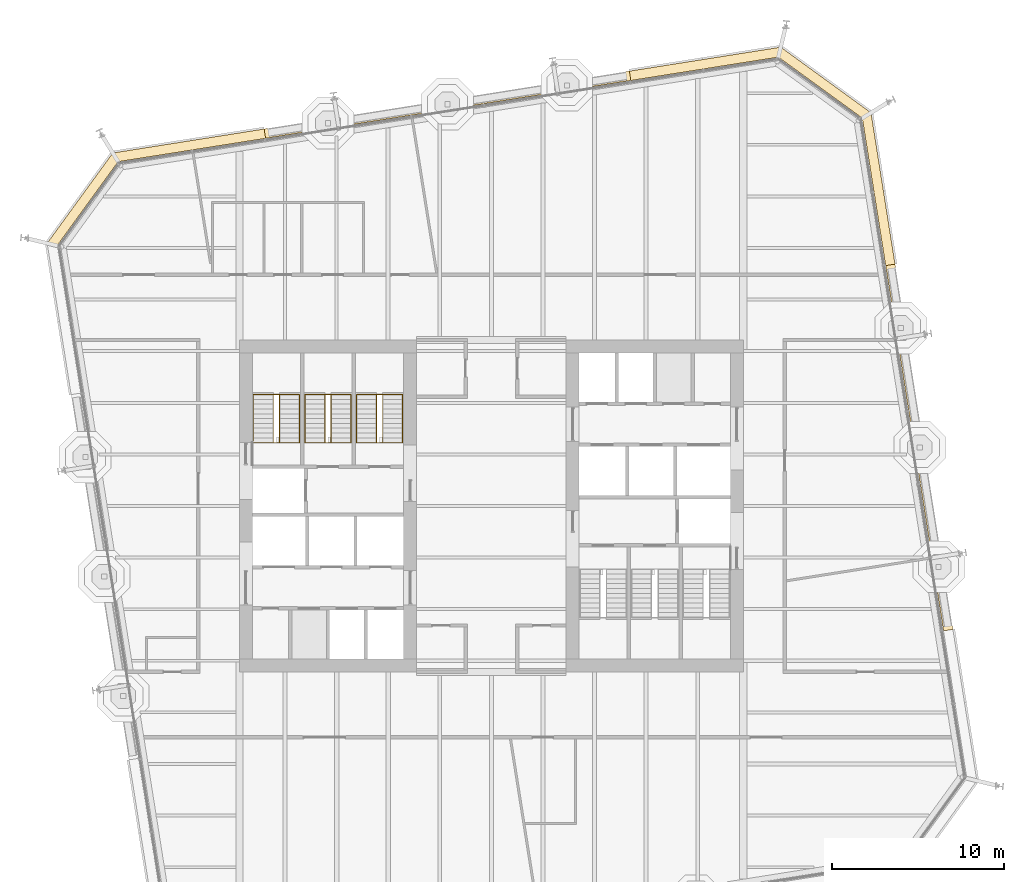
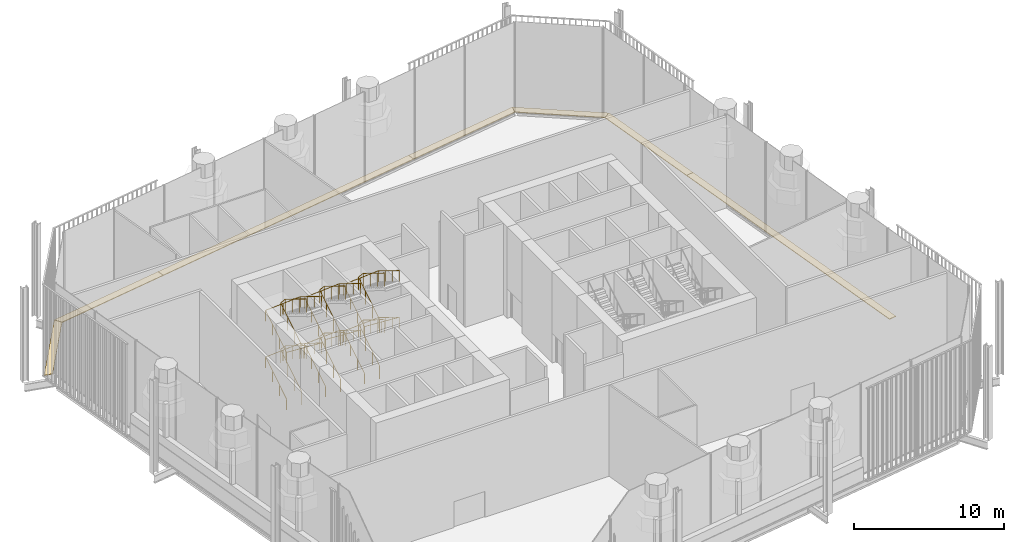
# One storey, part 17 of 19: 7 coverings, 6 railings.
"""IFC4 building model written with IfcOpenShell, lengths in metres."""

from ifc_helpers import new_model, si_unit, direction, frame, origin, origin_2d, place, context, subcontext, project, spatial, polyline, circle, outline, extrude, material, layer, layer_set, type_object, element, save


model = new_model("IFC4")

# Units and contexts
model_context = context("Model", 3, precision=1e-05, world=origin(), true_north=direction((0.0, 1.0)))
body_context = subcontext(model_context, "Body", "Model", "MODEL_VIEW")
ifc_project = project(units=[si_unit("LENGTHUNIT", "METRE"), si_unit("AREAUNIT", "SQUARE_METRE"), si_unit("VOLUMEUNIT", "CUBIC_METRE"), si_unit("PLANEANGLEUNIT", "RADIAN"), si_unit("MASSUNIT", "GRAM", prefix="KILO")], contexts=[model_context])

# Site, building, storey
site_placement = place(None, origin())
site = spatial("IfcSite", under=ifc_project, at=site_placement, CompositionType="ELEMENT")
building_placement = place(site_placement, origin())
building = spatial("IfcBuilding", under=site, at=building_placement, Name="Millrace Tower", CompositionType="ELEMENT")
storey_placement = place(building_placement, frame((0.0, 0.0, 172.39990234375)))
storey = spatial("IfcBuildingStorey", under=building, at=storey_placement, Name="L39", CompositionType="ELEMENT", Elevation=172.39990234375)

# Coverings
ifc_material_1 = material(Name="Steel ASTM A36", Category="steel")
ifc_layer = layer(ifc_material_1, 0.050048828125)
ifc_layer_set = layer_set([ifc_layer], Name="Steel ASTM A36")
covering_type = type_object("IfcCoveringType", Name="CAVITY CATWALK steel grating", PredefinedType="FLOORING", material=ifc_layer_set)
placement = place(storey_placement, frame((0.0, 0.0, 0.10009765625)))
element("IfcCovering", 1, at=placement, inside=storey, type_object=covering_type, Name="Cavity catwalk grating C-F04 L39 2", PredefinedType="FLOORING", context=body_context, shape_type="SweptSolid", body=[
    extrude(outline(polyline([(26.8330078125, -7.174072265625), (23.4697265625, 14.061279296875), (22.926513671875, 13.97509765625), (26.289794921875, -7.26025390625), (26.8330078125, -7.174072265625)])), origin(), (0.0, 0.0, 1.0), 0.050048828125),
])
element("IfcCovering", 2, at=placement, inside=storey, type_object=covering_type, Name="Cavity catwalk grating C-F04 L39 3", PredefinedType="FLOORING", context=body_context, shape_type="SweptSolid", body=[
    extrude(outline(polyline([(23.4697265625, 14.061279296875), (22.075927734375, 22.862060546875), (21.568359375, 22.551025390625), (22.926513671875, 13.97509765625), (23.4697265625, 14.061279296875)])), origin(), (0.0, 0.0, 1.0), 0.050048828125),
])
element("IfcCovering", 3, at=placement, inside=storey, type_object=covering_type, Name="Cavity catwalk grating C-F05 L39 1", PredefinedType="FLOORING", context=body_context, shape_type="SweptSolid", body=[
    extrude(outline(polyline([(22.075927734375, 22.862060546875), (16.824951171875, 26.677001953125), (16.68603515625, 26.09814453125), (21.568359375, 22.551025390625), (22.075927734375, 22.862060546875)])), origin(), (0.0, 0.0, 1.0), 0.050048828125),
])
element("IfcCovering", 4, at=placement, inside=storey, type_object=covering_type, Name="Cavity catwalk grating C-F06 L39 1", PredefinedType="FLOORING", context=body_context, shape_type="SweptSolid", body=[
    extrude(outline(polyline([(16.824951171875, 26.677001953125), (8.024169921875, 25.283203125), (8.110107421875, 24.739990234375), (16.68603515625, 26.09814453125), (16.824951171875, 26.677001953125)])), origin(), (0.0, 0.0, 1.0), 0.050048828125),
])
element("IfcCovering", 5, at=placement, inside=storey, type_object=covering_type, Name="Cavity catwalk grating C-F06 L39 2", PredefinedType="FLOORING", context=body_context, shape_type="SweptSolid", body=[
    extrude(outline(polyline([(8.024169921875, 25.283203125), (-13.211181640625, 21.919677734375), (-13.125244140625, 21.37646484375), (8.110107421875, 24.739990234375), (8.024169921875, 25.283203125)])), origin(), (0.0, 0.0, 1.0), 0.050048828125),
])
element("IfcCovering", 6, at=placement, inside=storey, type_object=covering_type, Name="Cavity catwalk grating C-F06 L39 3", PredefinedType="FLOORING", context=body_context, shape_type="SweptSolid", body=[
    extrude(outline(polyline([(-13.211181640625, 21.919677734375), (-22.01220703125, 20.52587890625), (-21.701171875, 20.018310546875), (-13.125244140625, 21.37646484375), (-13.211181640625, 21.919677734375)])), origin(), (0.0, 0.0, 1.0), 0.050048828125),
])
element("IfcCovering", 7, at=placement, inside=storey, type_object=covering_type, Name="Cavity catwalk grating C-F07 L39 1", PredefinedType="FLOORING", context=body_context, shape_type="SweptSolid", body=[
    extrude(outline(polyline([(-22.01220703125, 20.52587890625), (-25.8271484375, 15.275146484375), (-25.248291015625, 15.135986328125), (-21.701171875, 20.018310546875), (-22.01220703125, 20.52587890625)])), origin(), (0.0, 0.0, 1.0), 0.050048828125),
])

# Railings
ifc_material_2 = material(Name="Stainless steel ASTM A240 type 316", Category="steel")
railing_type_1 = type_object("IfcRailingType", Name="Stair guard 1100", PredefinedType="GUARDRAIL", material=ifc_material_2)
railing_1_placement = place(storey_placement, frame((-12.679931640625, 3.679931640625, 0.1728515625)))
element("IfcRailing", 8, at=railing_1_placement, inside=storey, type_object=railing_type_1, Name="Stair guard 1 W L39", PredefinedType="GUARDRAIL", context=body_context, shape_type="SweptSolid", body=[
    extrude(circle(Radius=0.02392578125, at=origin_2d()), frame((0.0, 0.0, 1.076171875), z_axis=(0.0, 0.851089632645, 0.525020415988), x_axis=(-1.0, 0.0, 0.0)), (0.0, 0.0, 1.0), 3.2900390625),
    extrude(circle(Radius=0.02392578125, at=origin_2d()), frame((0.0, 2.800048828125, 2.80322265625), z_axis=(0.901647110569, 0.0, 0.432472528611), x_axis=(0.0, 1.0, 0.0)), (0.0, 0.0, 1.0), 0.399169921875),
    extrude(circle(Radius=0.02392578125, at=origin_2d()), frame((0.35986328125, 2.800048828125, 2.97607421875), z_axis=(0.0, -0.851089632645, 0.525020415988), x_axis=(1.0, 0.0, 0.0)), (0.0, 0.0, 1.0), 3.2900390625),
    extrude(circle(Radius=0.02392578125, at=origin_2d()), frame((0.35986328125, 0.0, 4.703125), z_axis=(-0.901408511443, 0.0, 0.432969624221), x_axis=(0.0, -1.0, 0.0)), (0.0, 0.0, 1.0), 0.399169921875),
    extrude(circle(Radius=0.02392578125, at=origin_2d()), frame((0.0, 0.0, 4.8759765625), z_axis=(0.0, 0.851089632645, 0.525020415988), x_axis=(-1.0, 0.0, 0.0)), (0.0, 0.0, 1.0), 3.2900390625),
    extrude(circle(Radius=0.02392578125, at=origin_2d()), frame((0.0, 2.800048828125, 6.603515625), z_axis=(0.901647110569, 0.0, 0.432472528611), x_axis=(0.0, 1.0, 0.0)), (0.0, 0.0, 1.0), 0.399169921875),
    extrude(circle(Radius=0.02392578125, at=origin_2d()), frame((0.35986328125, 2.800048828125, 6.77587890625), z_axis=(0.0, -0.851089632645, 0.525020415988), x_axis=(1.0, 0.0, 0.0)), (0.0, 0.0, 1.0), 3.2900390625),
    extrude(circle(Radius=0.02099609375, at=origin_2d()), origin(), (0.0, 0.0, 1.0), 1.052001953125),
    extrude(circle(Radius=0.02099609375, at=origin_2d()), frame((0.0, 0.933349609375, 0.57568359375)), (0.0, 0.0, 1.0), 1.052001953125),
    extrude(circle(Radius=0.02099609375, at=origin_2d()), frame((0.0, 1.86669921875, 1.151611328125)), (0.0, 0.0, 1.0), 1.052001953125),
    extrude(circle(Radius=0.02099609375, at=origin_2d()), frame((0.0, 2.800048828125, 1.727294921875)), (0.0, 0.0, 1.0), 1.052001953125),
    extrude(circle(Radius=0.02099609375, at=origin_2d()), frame((0.35986328125, 2.800048828125, 1.89990234375)), (0.0, 0.0, 1.0), 1.052001953125),
    extrude(circle(Radius=0.02099609375, at=origin_2d()), frame((0.35986328125, 1.86669921875, 2.4755859375)), (0.0, 0.0, 1.0), 1.052001953125),
    extrude(circle(Radius=0.02099609375, at=origin_2d()), frame((0.35986328125, 0.933349609375, 3.051513671875)), (0.0, 0.0, 1.0), 1.052001953125),
    extrude(circle(Radius=0.02099609375, at=origin_2d()), frame((0.35986328125, 0.0, 3.627197265625)), (0.0, 0.0, 1.0), 1.052001953125),
    extrude(circle(Radius=0.02099609375, at=origin_2d()), frame((0.0, 0.0, 3.800048828125)), (0.0, 0.0, 1.0), 1.052001953125),
    extrude(circle(Radius=0.02099609375, at=origin_2d()), frame((0.0, 0.933349609375, 4.375732421875)), (0.0, 0.0, 1.0), 1.052001953125),
    extrude(circle(Radius=0.02099609375, at=origin_2d()), frame((0.0, 1.86669921875, 4.95166015625)), (0.0, 0.0, 1.0), 1.052001953125),
    extrude(circle(Radius=0.02099609375, at=origin_2d()), frame((0.0, 2.800048828125, 5.52734375)), (0.0, 0.0, 1.0), 1.052001953125),
    extrude(circle(Radius=0.02099609375, at=origin_2d()), frame((0.35986328125, 2.800048828125, 5.699951171875)), (0.0, 0.0, 1.0), 1.052001953125),
    extrude(circle(Radius=0.02099609375, at=origin_2d()), frame((0.35986328125, 1.86669921875, 6.275634765625)), (0.0, 0.0, 1.0), 1.052001953125),
    extrude(circle(Radius=0.02099609375, at=origin_2d()), frame((0.35986328125, 0.933349609375, 6.8515625)), (0.0, 0.0, 1.0), 1.052001953125),
    extrude(circle(Radius=0.02099609375, at=origin_2d()), frame((0.35986328125, 0.0, 7.42724609375)), (0.0, 0.0, 1.0), 1.052001953125),
])
railing_2_placement = place(storey_placement, frame((-9.679931640625, 3.679931640625, 0.1728515625)))
element("IfcRailing", 9, at=railing_2_placement, inside=storey, type_object=railing_type_1, Name="Stair guard 2 W L39", PredefinedType="GUARDRAIL", context=body_context, shape_type="SweptSolid", body=[
    extrude(circle(Radius=0.02392578125, at=origin_2d()), frame((0.0, 0.0, 1.076171875), z_axis=(0.0, 0.851089632645, 0.525020415988), x_axis=(-1.0, 0.0, 0.0)), (0.0, 0.0, 1.0), 3.2900390625),
    extrude(circle(Radius=0.02392578125, at=origin_2d()), frame((0.0, 2.800048828125, 2.80322265625), z_axis=(0.901647110569, 0.0, 0.432472528611), x_axis=(0.0, 1.0, 0.0)), (0.0, 0.0, 1.0), 0.399169921875),
    extrude(circle(Radius=0.02392578125, at=origin_2d()), frame((0.35986328125, 2.800048828125, 2.97607421875), z_axis=(0.0, -0.851089632645, 0.525020415988), x_axis=(1.0, 0.0, 0.0)), (0.0, 0.0, 1.0), 3.2900390625),
    extrude(circle(Radius=0.02392578125, at=origin_2d()), frame((0.35986328125, 0.0, 4.703125), z_axis=(-0.901408511443, 0.0, 0.432969624221), x_axis=(0.0, -1.0, 0.0)), (0.0, 0.0, 1.0), 0.399169921875),
    extrude(circle(Radius=0.02392578125, at=origin_2d()), frame((0.0, 0.0, 4.8759765625), z_axis=(0.0, 0.851089632645, 0.525020415988), x_axis=(-1.0, 0.0, 0.0)), (0.0, 0.0, 1.0), 3.2900390625),
    extrude(circle(Radius=0.02392578125, at=origin_2d()), frame((0.0, 2.800048828125, 6.603515625), z_axis=(0.901647110569, 0.0, 0.432472528611), x_axis=(0.0, 1.0, 0.0)), (0.0, 0.0, 1.0), 0.399169921875),
    extrude(circle(Radius=0.02392578125, at=origin_2d()), frame((0.35986328125, 2.800048828125, 6.77587890625), z_axis=(0.0, -0.851089632645, 0.525020415988), x_axis=(1.0, 0.0, 0.0)), (0.0, 0.0, 1.0), 3.2900390625),
    extrude(circle(Radius=0.02099609375, at=origin_2d()), origin(), (0.0, 0.0, 1.0), 1.052001953125),
    extrude(circle(Radius=0.02099609375, at=origin_2d()), frame((0.0, 0.933349609375, 0.57568359375)), (0.0, 0.0, 1.0), 1.052001953125),
    extrude(circle(Radius=0.02099609375, at=origin_2d()), frame((0.0, 1.86669921875, 1.151611328125)), (0.0, 0.0, 1.0), 1.052001953125),
    extrude(circle(Radius=0.02099609375, at=origin_2d()), frame((0.0, 2.800048828125, 1.727294921875)), (0.0, 0.0, 1.0), 1.052001953125),
    extrude(circle(Radius=0.02099609375, at=origin_2d()), frame((0.35986328125, 2.800048828125, 1.89990234375)), (0.0, 0.0, 1.0), 1.052001953125),
    extrude(circle(Radius=0.02099609375, at=origin_2d()), frame((0.35986328125, 1.86669921875, 2.4755859375)), (0.0, 0.0, 1.0), 1.052001953125),
    extrude(circle(Radius=0.02099609375, at=origin_2d()), frame((0.35986328125, 0.933349609375, 3.051513671875)), (0.0, 0.0, 1.0), 1.052001953125),
    extrude(circle(Radius=0.02099609375, at=origin_2d()), frame((0.35986328125, 0.0, 3.627197265625)), (0.0, 0.0, 1.0), 1.052001953125),
    extrude(circle(Radius=0.02099609375, at=origin_2d()), frame((0.0, 0.0, 3.800048828125)), (0.0, 0.0, 1.0), 1.052001953125),
    extrude(circle(Radius=0.02099609375, at=origin_2d()), frame((0.0, 0.933349609375, 4.375732421875)), (0.0, 0.0, 1.0), 1.052001953125),
    extrude(circle(Radius=0.02099609375, at=origin_2d()), frame((0.0, 1.86669921875, 4.95166015625)), (0.0, 0.0, 1.0), 1.052001953125),
    extrude(circle(Radius=0.02099609375, at=origin_2d()), frame((0.0, 2.800048828125, 5.52734375)), (0.0, 0.0, 1.0), 1.052001953125),
    extrude(circle(Radius=0.02099609375, at=origin_2d()), frame((0.35986328125, 2.800048828125, 5.699951171875)), (0.0, 0.0, 1.0), 1.052001953125),
    extrude(circle(Radius=0.02099609375, at=origin_2d()), frame((0.35986328125, 1.86669921875, 6.275634765625)), (0.0, 0.0, 1.0), 1.052001953125),
    extrude(circle(Radius=0.02099609375, at=origin_2d()), frame((0.35986328125, 0.933349609375, 6.8515625)), (0.0, 0.0, 1.0), 1.052001953125),
    extrude(circle(Radius=0.02099609375, at=origin_2d()), frame((0.35986328125, 0.0, 7.42724609375)), (0.0, 0.0, 1.0), 1.052001953125),
])
railing_3_placement = place(storey_placement, frame((-6.679931640625, 3.679931640625, 0.1728515625)))
element("IfcRailing", 10, at=railing_3_placement, inside=storey, type_object=railing_type_1, Name="Stair guard 3 W L39", PredefinedType="GUARDRAIL", context=body_context, shape_type="SweptSolid", body=[
    extrude(circle(Radius=0.02392578125, at=origin_2d()), frame((0.0, 0.0, 1.076171875), z_axis=(0.0, 0.851089632645, 0.525020415988), x_axis=(-1.0, 0.0, 0.0)), (0.0, 0.0, 1.0), 3.2900390625),
    extrude(circle(Radius=0.02392578125, at=origin_2d()), frame((0.0, 2.800048828125, 2.80322265625), z_axis=(0.901647110569, 0.0, 0.432472528611), x_axis=(0.0, 1.0, 0.0)), (0.0, 0.0, 1.0), 0.399169921875),
    extrude(circle(Radius=0.02392578125, at=origin_2d()), frame((0.35986328125, 2.800048828125, 2.97607421875), z_axis=(0.0, -0.851089632645, 0.525020415988), x_axis=(1.0, 0.0, 0.0)), (0.0, 0.0, 1.0), 3.2900390625),
    extrude(circle(Radius=0.02392578125, at=origin_2d()), frame((0.35986328125, 0.0, 4.703125), z_axis=(-0.901408511443, 0.0, 0.432969624221), x_axis=(0.0, -1.0, 0.0)), (0.0, 0.0, 1.0), 0.399169921875),
    extrude(circle(Radius=0.02392578125, at=origin_2d()), frame((0.0, 0.0, 4.8759765625), z_axis=(0.0, 0.851089632645, 0.525020415988), x_axis=(-1.0, 0.0, 0.0)), (0.0, 0.0, 1.0), 3.2900390625),
    extrude(circle(Radius=0.02392578125, at=origin_2d()), frame((0.0, 2.800048828125, 6.603515625), z_axis=(0.901647110569, 0.0, 0.432472528611), x_axis=(0.0, 1.0, 0.0)), (0.0, 0.0, 1.0), 0.399169921875),
    extrude(circle(Radius=0.02392578125, at=origin_2d()), frame((0.35986328125, 2.800048828125, 6.77587890625), z_axis=(0.0, -0.851089632645, 0.525020415988), x_axis=(1.0, 0.0, 0.0)), (0.0, 0.0, 1.0), 3.2900390625),
    extrude(circle(Radius=0.02099609375, at=origin_2d()), origin(), (0.0, 0.0, 1.0), 1.052001953125),
    extrude(circle(Radius=0.02099609375, at=origin_2d()), frame((0.0, 0.933349609375, 0.57568359375)), (0.0, 0.0, 1.0), 1.052001953125),
    extrude(circle(Radius=0.02099609375, at=origin_2d()), frame((0.0, 1.86669921875, 1.151611328125)), (0.0, 0.0, 1.0), 1.052001953125),
    extrude(circle(Radius=0.02099609375, at=origin_2d()), frame((0.0, 2.800048828125, 1.727294921875)), (0.0, 0.0, 1.0), 1.052001953125),
    extrude(circle(Radius=0.02099609375, at=origin_2d()), frame((0.35986328125, 2.800048828125, 1.89990234375)), (0.0, 0.0, 1.0), 1.052001953125),
    extrude(circle(Radius=0.02099609375, at=origin_2d()), frame((0.35986328125, 1.86669921875, 2.4755859375)), (0.0, 0.0, 1.0), 1.052001953125),
    extrude(circle(Radius=0.02099609375, at=origin_2d()), frame((0.35986328125, 0.933349609375, 3.051513671875)), (0.0, 0.0, 1.0), 1.052001953125),
    extrude(circle(Radius=0.02099609375, at=origin_2d()), frame((0.35986328125, 0.0, 3.627197265625)), (0.0, 0.0, 1.0), 1.052001953125),
    extrude(circle(Radius=0.02099609375, at=origin_2d()), frame((0.0, 0.0, 3.800048828125)), (0.0, 0.0, 1.0), 1.052001953125),
    extrude(circle(Radius=0.02099609375, at=origin_2d()), frame((0.0, 0.933349609375, 4.375732421875)), (0.0, 0.0, 1.0), 1.052001953125),
    extrude(circle(Radius=0.02099609375, at=origin_2d()), frame((0.0, 1.86669921875, 4.95166015625)), (0.0, 0.0, 1.0), 1.052001953125),
    extrude(circle(Radius=0.02099609375, at=origin_2d()), frame((0.0, 2.800048828125, 5.52734375)), (0.0, 0.0, 1.0), 1.052001953125),
    extrude(circle(Radius=0.02099609375, at=origin_2d()), frame((0.35986328125, 2.800048828125, 5.699951171875)), (0.0, 0.0, 1.0), 1.052001953125),
    extrude(circle(Radius=0.02099609375, at=origin_2d()), frame((0.35986328125, 1.86669921875, 6.275634765625)), (0.0, 0.0, 1.0), 1.052001953125),
    extrude(circle(Radius=0.02099609375, at=origin_2d()), frame((0.35986328125, 0.933349609375, 6.8515625)), (0.0, 0.0, 1.0), 1.052001953125),
    extrude(circle(Radius=0.02099609375, at=origin_2d()), frame((0.35986328125, 0.0, 7.42724609375)), (0.0, 0.0, 1.0), 1.052001953125),
])
ifc_material_3 = material(Name="Stainless steel ASTM A240 type 316", Category="steel")
railing_type_2 = type_object("IfcRailingType", Name="Stair handrail 900", PredefinedType="HANDRAIL", material=ifc_material_3)
railing_4_placement = place(storey_placement, frame((-13.840087890625, 3.679931640625, 0.1728515625)))
element("IfcRailing", 11, at=railing_4_placement, inside=storey, type_object=railing_type_2, Name="Stair handrail 1 W L39", PredefinedType="HANDRAIL", context=body_context, shape_type="SweptSolid", body=[
    extrude(circle(Radius=0.02392578125, at=origin_2d()), frame((0.0, 0.0, 0.8759765625), z_axis=(0.0, 0.851089632645, 0.525020415988), x_axis=(-1.0, 0.0, 0.0)), (0.0, 0.0, 1.0), 3.2900390625),
    extrude(circle(Radius=0.02392578125, at=origin_2d()), frame((0.0, 2.800048828125, 2.60302734375), z_axis=(0.997932650066, 0.0, 0.064268389834), x_axis=(0.0, 1.0, 0.0)), (0.0, 0.0, 1.0), 2.685791015625),
    extrude(circle(Radius=0.02392578125, at=origin_2d()), frame((2.68017578125, 2.800048828125, 2.77587890625), z_axis=(0.0, -0.851089632645, 0.525020415988), x_axis=(1.0, 0.0, 0.0)), (0.0, 0.0, 1.0), 3.2900390625),
    extrude(circle(Radius=0.02392578125, at=origin_2d()), frame((2.68017578125, 0.0, 4.5029296875), z_axis=(-0.997926815885, 0.0, 0.064358916528), x_axis=(0.0, -1.0, 0.0)), (0.0, 0.0, 1.0), 2.685791015625),
    extrude(circle(Radius=0.02392578125, at=origin_2d()), frame((0.0, 0.0, 4.67578125), z_axis=(0.0, 0.851089632645, 0.525020415988), x_axis=(-1.0, 0.0, 0.0)), (0.0, 0.0, 1.0), 3.2900390625),
    extrude(circle(Radius=0.02392578125, at=origin_2d()), frame((0.0, 2.800048828125, 6.4033203125), z_axis=(0.997932650066, 0.0, 0.064268389834), x_axis=(0.0, 1.0, 0.0)), (0.0, 0.0, 1.0), 2.685791015625),
    extrude(circle(Radius=0.02392578125, at=origin_2d()), frame((2.68017578125, 2.800048828125, 6.57568359375), z_axis=(0.0, -0.851089632645, 0.525020415988), x_axis=(1.0, 0.0, 0.0)), (0.0, 0.0, 1.0), 3.2900390625),
    extrude(circle(Radius=0.02099609375, at=origin_2d()), origin(), (0.0, 0.0, 1.0), 0.851806640625),
    extrude(circle(Radius=0.02099609375, at=origin_2d()), frame((0.0, 0.933349609375, 0.57568359375)), (0.0, 0.0, 1.0), 0.851806640625),
    extrude(circle(Radius=0.02099609375, at=origin_2d()), frame((0.0, 1.86669921875, 1.151611328125)), (0.0, 0.0, 1.0), 0.851806640625),
    extrude(circle(Radius=0.02099609375, at=origin_2d()), frame((0.0, 2.800048828125, 1.727294921875)), (0.0, 0.0, 1.0), 0.851806640625),
    extrude(circle(Radius=0.02099609375, at=origin_2d()), frame((1.340087890625, 2.800048828125, 1.8134765625)), (0.0, 0.0, 1.0), 0.851806640625),
    extrude(circle(Radius=0.02099609375, at=origin_2d()), frame((2.68017578125, 2.800048828125, 1.89990234375)), (0.0, 0.0, 1.0), 0.851806640625),
    extrude(circle(Radius=0.02099609375, at=origin_2d()), frame((2.68017578125, 1.86669921875, 2.4755859375)), (0.0, 0.0, 1.0), 0.851806640625),
    extrude(circle(Radius=0.02099609375, at=origin_2d()), frame((2.68017578125, 0.933349609375, 3.051513671875)), (0.0, 0.0, 1.0), 0.851806640625),
    extrude(circle(Radius=0.02099609375, at=origin_2d()), frame((2.68017578125, 0.0, 3.627197265625)), (0.0, 0.0, 1.0), 0.851806640625),
    extrude(circle(Radius=0.02099609375, at=origin_2d()), frame((1.340087890625, 0.0, 3.713623046875)), (0.0, 0.0, 1.0), 0.851806640625),
    extrude(circle(Radius=0.02099609375, at=origin_2d()), frame((0.0, 0.0, 3.800048828125)), (0.0, 0.0, 1.0), 0.851806640625),
    extrude(circle(Radius=0.02099609375, at=origin_2d()), frame((0.0, 0.933349609375, 4.375732421875)), (0.0, 0.0, 1.0), 0.851806640625),
    extrude(circle(Radius=0.02099609375, at=origin_2d()), frame((0.0, 1.86669921875, 4.95166015625)), (0.0, 0.0, 1.0), 0.851806640625),
    extrude(circle(Radius=0.02099609375, at=origin_2d()), frame((0.0, 2.800048828125, 5.52734375)), (0.0, 0.0, 1.0), 0.851806640625),
    extrude(circle(Radius=0.02099609375, at=origin_2d()), frame((1.340087890625, 2.800048828125, 5.61376953125)), (0.0, 0.0, 1.0), 0.851806640625),
    extrude(circle(Radius=0.02099609375, at=origin_2d()), frame((2.68017578125, 2.800048828125, 5.699951171875)), (0.0, 0.0, 1.0), 0.851806640625),
    extrude(circle(Radius=0.02099609375, at=origin_2d()), frame((2.68017578125, 1.86669921875, 6.275634765625)), (0.0, 0.0, 1.0), 0.851806640625),
    extrude(circle(Radius=0.02099609375, at=origin_2d()), frame((2.68017578125, 0.933349609375, 6.8515625)), (0.0, 0.0, 1.0), 0.851806640625),
    extrude(circle(Radius=0.02099609375, at=origin_2d()), frame((2.68017578125, 0.0, 7.42724609375)), (0.0, 0.0, 1.0), 0.851806640625),
])
railing_5_placement = place(storey_placement, frame((-10.840087890625, 3.679931640625, 0.1728515625)))
element("IfcRailing", 12, at=railing_5_placement, inside=storey, type_object=railing_type_2, Name="Stair handrail 2 W L39", PredefinedType="HANDRAIL", context=body_context, shape_type="SweptSolid", body=[
    extrude(circle(Radius=0.02392578125, at=origin_2d()), frame((0.0, 0.0, 0.8759765625), z_axis=(0.0, 0.851089632645, 0.525020415988), x_axis=(-1.0, 0.0, 0.0)), (0.0, 0.0, 1.0), 3.2900390625),
    extrude(circle(Radius=0.02392578125, at=origin_2d()), frame((0.0, 2.800048828125, 2.60302734375), z_axis=(0.997932650066, 0.0, 0.064268389834), x_axis=(0.0, 1.0, 0.0)), (0.0, 0.0, 1.0), 2.685791015625),
    extrude(circle(Radius=0.02392578125, at=origin_2d()), frame((2.68017578125, 2.800048828125, 2.77587890625), z_axis=(0.0, -0.851089632645, 0.525020415988), x_axis=(1.0, 0.0, 0.0)), (0.0, 0.0, 1.0), 3.2900390625),
    extrude(circle(Radius=0.02392578125, at=origin_2d()), frame((2.68017578125, 0.0, 4.5029296875), z_axis=(-0.997926815885, 0.0, 0.064358916528), x_axis=(0.0, -1.0, 0.0)), (0.0, 0.0, 1.0), 2.685791015625),
    extrude(circle(Radius=0.02392578125, at=origin_2d()), frame((0.0, 0.0, 4.67578125), z_axis=(0.0, 0.851089632645, 0.525020415988), x_axis=(-1.0, 0.0, 0.0)), (0.0, 0.0, 1.0), 3.2900390625),
    extrude(circle(Radius=0.02392578125, at=origin_2d()), frame((0.0, 2.800048828125, 6.4033203125), z_axis=(0.997932650066, 0.0, 0.064268389834), x_axis=(0.0, 1.0, 0.0)), (0.0, 0.0, 1.0), 2.685791015625),
    extrude(circle(Radius=0.02392578125, at=origin_2d()), frame((2.68017578125, 2.800048828125, 6.57568359375), z_axis=(0.0, -0.851089632645, 0.525020415988), x_axis=(1.0, 0.0, 0.0)), (0.0, 0.0, 1.0), 3.2900390625),
    extrude(circle(Radius=0.02099609375, at=origin_2d()), origin(), (0.0, 0.0, 1.0), 0.851806640625),
    extrude(circle(Radius=0.02099609375, at=origin_2d()), frame((0.0, 0.933349609375, 0.57568359375)), (0.0, 0.0, 1.0), 0.851806640625),
    extrude(circle(Radius=0.02099609375, at=origin_2d()), frame((0.0, 1.86669921875, 1.151611328125)), (0.0, 0.0, 1.0), 0.851806640625),
    extrude(circle(Radius=0.02099609375, at=origin_2d()), frame((0.0, 2.800048828125, 1.727294921875)), (0.0, 0.0, 1.0), 0.851806640625),
    extrude(circle(Radius=0.02099609375, at=origin_2d()), frame((1.340087890625, 2.800048828125, 1.8134765625)), (0.0, 0.0, 1.0), 0.851806640625),
    extrude(circle(Radius=0.02099609375, at=origin_2d()), frame((2.68017578125, 2.800048828125, 1.89990234375)), (0.0, 0.0, 1.0), 0.851806640625),
    extrude(circle(Radius=0.02099609375, at=origin_2d()), frame((2.68017578125, 1.86669921875, 2.4755859375)), (0.0, 0.0, 1.0), 0.851806640625),
    extrude(circle(Radius=0.02099609375, at=origin_2d()), frame((2.68017578125, 0.933349609375, 3.051513671875)), (0.0, 0.0, 1.0), 0.851806640625),
    extrude(circle(Radius=0.02099609375, at=origin_2d()), frame((2.68017578125, 0.0, 3.627197265625)), (0.0, 0.0, 1.0), 0.851806640625),
    extrude(circle(Radius=0.02099609375, at=origin_2d()), frame((1.340087890625, 0.0, 3.713623046875)), (0.0, 0.0, 1.0), 0.851806640625),
    extrude(circle(Radius=0.02099609375, at=origin_2d()), frame((0.0, 0.0, 3.800048828125)), (0.0, 0.0, 1.0), 0.851806640625),
    extrude(circle(Radius=0.02099609375, at=origin_2d()), frame((0.0, 0.933349609375, 4.375732421875)), (0.0, 0.0, 1.0), 0.851806640625),
    extrude(circle(Radius=0.02099609375, at=origin_2d()), frame((0.0, 1.86669921875, 4.95166015625)), (0.0, 0.0, 1.0), 0.851806640625),
    extrude(circle(Radius=0.02099609375, at=origin_2d()), frame((0.0, 2.800048828125, 5.52734375)), (0.0, 0.0, 1.0), 0.851806640625),
    extrude(circle(Radius=0.02099609375, at=origin_2d()), frame((1.340087890625, 2.800048828125, 5.61376953125)), (0.0, 0.0, 1.0), 0.851806640625),
    extrude(circle(Radius=0.02099609375, at=origin_2d()), frame((2.68017578125, 2.800048828125, 5.699951171875)), (0.0, 0.0, 1.0), 0.851806640625),
    extrude(circle(Radius=0.02099609375, at=origin_2d()), frame((2.68017578125, 1.86669921875, 6.275634765625)), (0.0, 0.0, 1.0), 0.851806640625),
    extrude(circle(Radius=0.02099609375, at=origin_2d()), frame((2.68017578125, 0.933349609375, 6.8515625)), (0.0, 0.0, 1.0), 0.851806640625),
    extrude(circle(Radius=0.02099609375, at=origin_2d()), frame((2.68017578125, 0.0, 7.42724609375)), (0.0, 0.0, 1.0), 0.851806640625),
])
railing_6_placement = place(storey_placement, frame((-7.840087890625, 3.679931640625, 0.1728515625)))
element("IfcRailing", 13, at=railing_6_placement, inside=storey, type_object=railing_type_2, Name="Stair handrail 3 W L39", PredefinedType="HANDRAIL", context=body_context, shape_type="SweptSolid", body=[
    extrude(circle(Radius=0.02392578125, at=origin_2d()), frame((0.0, 0.0, 0.8759765625), z_axis=(0.0, 0.851089632645, 0.525020415988), x_axis=(-1.0, 0.0, 0.0)), (0.0, 0.0, 1.0), 3.2900390625),
    extrude(circle(Radius=0.02392578125, at=origin_2d()), frame((0.0, 2.800048828125, 2.60302734375), z_axis=(0.997932650066, 0.0, 0.064268389834), x_axis=(0.0, 1.0, 0.0)), (0.0, 0.0, 1.0), 2.685791015625),
    extrude(circle(Radius=0.02392578125, at=origin_2d()), frame((2.68017578125, 2.800048828125, 2.77587890625), z_axis=(0.0, -0.851089632645, 0.525020415988), x_axis=(1.0, 0.0, 0.0)), (0.0, 0.0, 1.0), 3.2900390625),
    extrude(circle(Radius=0.02392578125, at=origin_2d()), frame((2.68017578125, 0.0, 4.5029296875), z_axis=(-0.997926815885, 0.0, 0.064358916528), x_axis=(0.0, -1.0, 0.0)), (0.0, 0.0, 1.0), 2.685791015625),
    extrude(circle(Radius=0.02392578125, at=origin_2d()), frame((0.0, 0.0, 4.67578125), z_axis=(0.0, 0.851089632645, 0.525020415988), x_axis=(-1.0, 0.0, 0.0)), (0.0, 0.0, 1.0), 3.2900390625),
    extrude(circle(Radius=0.02392578125, at=origin_2d()), frame((0.0, 2.800048828125, 6.4033203125), z_axis=(0.997932650066, 0.0, 0.064268389834), x_axis=(0.0, 1.0, 0.0)), (0.0, 0.0, 1.0), 2.685791015625),
    extrude(circle(Radius=0.02392578125, at=origin_2d()), frame((2.68017578125, 2.800048828125, 6.57568359375), z_axis=(0.0, -0.851089632645, 0.525020415988), x_axis=(1.0, 0.0, 0.0)), (0.0, 0.0, 1.0), 3.2900390625),
    extrude(circle(Radius=0.02099609375, at=origin_2d()), origin(), (0.0, 0.0, 1.0), 0.851806640625),
    extrude(circle(Radius=0.02099609375, at=origin_2d()), frame((0.0, 0.933349609375, 0.57568359375)), (0.0, 0.0, 1.0), 0.851806640625),
    extrude(circle(Radius=0.02099609375, at=origin_2d()), frame((0.0, 1.86669921875, 1.151611328125)), (0.0, 0.0, 1.0), 0.851806640625),
    extrude(circle(Radius=0.02099609375, at=origin_2d()), frame((0.0, 2.800048828125, 1.727294921875)), (0.0, 0.0, 1.0), 0.851806640625),
    extrude(circle(Radius=0.02099609375, at=origin_2d()), frame((1.340087890625, 2.800048828125, 1.8134765625)), (0.0, 0.0, 1.0), 0.851806640625),
    extrude(circle(Radius=0.02099609375, at=origin_2d()), frame((2.68017578125, 2.800048828125, 1.89990234375)), (0.0, 0.0, 1.0), 0.851806640625),
    extrude(circle(Radius=0.02099609375, at=origin_2d()), frame((2.68017578125, 1.86669921875, 2.4755859375)), (0.0, 0.0, 1.0), 0.851806640625),
    extrude(circle(Radius=0.02099609375, at=origin_2d()), frame((2.68017578125, 0.933349609375, 3.051513671875)), (0.0, 0.0, 1.0), 0.851806640625),
    extrude(circle(Radius=0.02099609375, at=origin_2d()), frame((2.68017578125, 0.0, 3.627197265625)), (0.0, 0.0, 1.0), 0.851806640625),
    extrude(circle(Radius=0.02099609375, at=origin_2d()), frame((1.340087890625, 0.0, 3.713623046875)), (0.0, 0.0, 1.0), 0.851806640625),
    extrude(circle(Radius=0.02099609375, at=origin_2d()), frame((0.0, 0.0, 3.800048828125)), (0.0, 0.0, 1.0), 0.851806640625),
    extrude(circle(Radius=0.02099609375, at=origin_2d()), frame((0.0, 0.933349609375, 4.375732421875)), (0.0, 0.0, 1.0), 0.851806640625),
    extrude(circle(Radius=0.02099609375, at=origin_2d()), frame((0.0, 1.86669921875, 4.95166015625)), (0.0, 0.0, 1.0), 0.851806640625),
    extrude(circle(Radius=0.02099609375, at=origin_2d()), frame((0.0, 2.800048828125, 5.52734375)), (0.0, 0.0, 1.0), 0.851806640625),
    extrude(circle(Radius=0.02099609375, at=origin_2d()), frame((1.340087890625, 2.800048828125, 5.61376953125)), (0.0, 0.0, 1.0), 0.851806640625),
    extrude(circle(Radius=0.02099609375, at=origin_2d()), frame((2.68017578125, 2.800048828125, 5.699951171875)), (0.0, 0.0, 1.0), 0.851806640625),
    extrude(circle(Radius=0.02099609375, at=origin_2d()), frame((2.68017578125, 1.86669921875, 6.275634765625)), (0.0, 0.0, 1.0), 0.851806640625),
    extrude(circle(Radius=0.02099609375, at=origin_2d()), frame((2.68017578125, 0.933349609375, 6.8515625)), (0.0, 0.0, 1.0), 0.851806640625),
    extrude(circle(Radius=0.02099609375, at=origin_2d()), frame((2.68017578125, 0.0, 7.42724609375)), (0.0, 0.0, 1.0), 0.851806640625),
])

save(model, "model.ifc")
